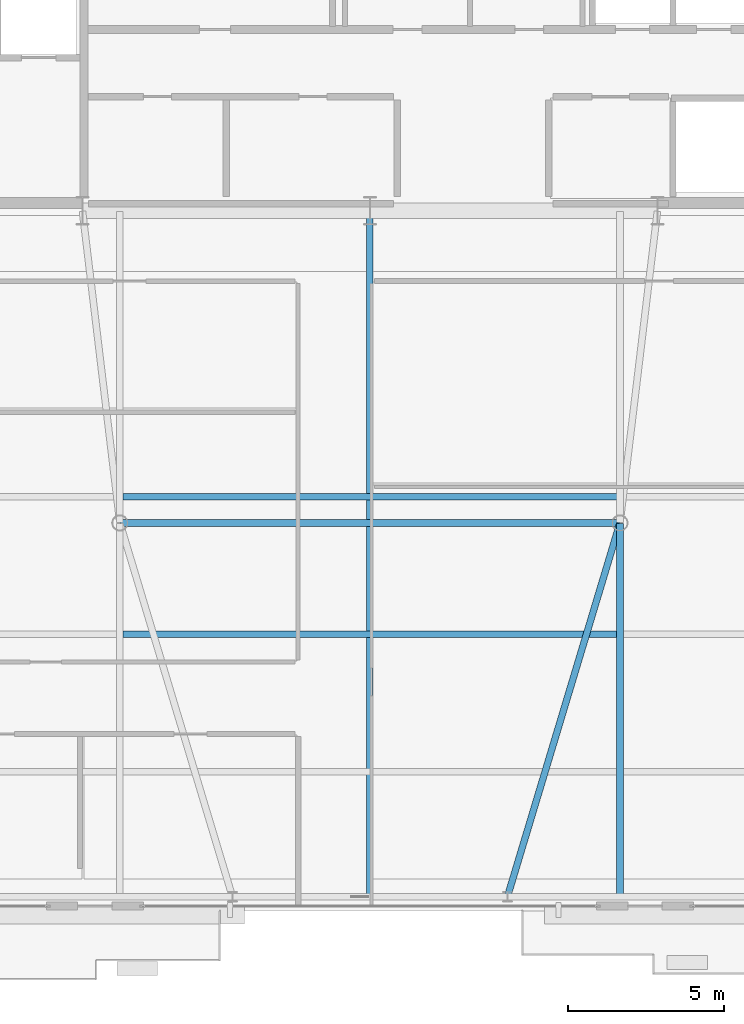
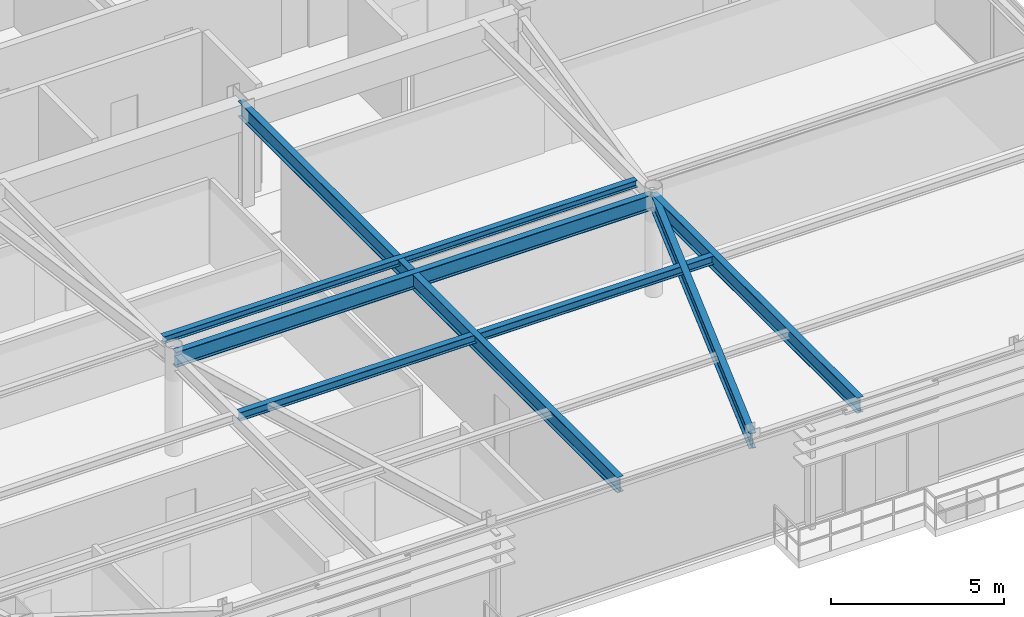
# One storey, part 8 of 24: 6 beams.
"""IFC4 building model written with IfcOpenShell, lengths in metres."""

import ifcopenshell
import ifcopenshell.guid

model = None  # the IFC model being written
_history = None  # IfcOwnerHistory: only IFC2X3 demands one
_inside = {}  # id of a spatial element -> (the spatial element, [elements in it])
_under = {}  # id of a project, library or spatial element -> (it, [spatial elements below it])
_declared = {}  # id of a project -> (the project, [libraries it declares])
_typed = {}  # id of a type object -> (the type object, [elements of that type])
_made_of = {}  # id of a material, layer set ... -> (it, [elements and type objects made of it])


def new_model(schema):
    """Start an empty IFC model of exactly this schema.

    Asked for "IFC4X3", IfcOpenShell would pick the latest addendum, in which some entities
    have other attributes; the version numbers below select the first issue.
    IFC2X3 requires an IfcOwnerHistory on every rooted entity: one is made here for all.
    """
    global model, _history
    if schema == "IFC4X3":
        model = ifcopenshell.file(schema_version=(4, 3, 0, 0))
    else:
        model = ifcopenshell.file(schema=schema)
    _inside.clear()
    _under.clear()
    _declared.clear()
    _typed.clear()
    _made_of.clear()
    _history = None
    if model.schema == "IFC2X3":
        org = make("IfcOrganization", Name="unknown")
        user = make(
            "IfcPersonAndOrganization",
            ThePerson=make("IfcPerson", FamilyName="unknown"),
            TheOrganization=org,
        )
        app = make(
            "IfcApplication",
            ApplicationDeveloper=org,
            Version="unknown",
            ApplicationFullName="unknown",
            ApplicationIdentifier="unknown",
        )
        _history = make(
            "IfcOwnerHistory",
            OwningUser=user,
            OwningApplication=app,
            ChangeAction="ADDED",
            CreationDate=0,
        )
    return model


def make(cls, **values):
    """One entity of the class cls with the attributes given. An attribute that is None is left unset."""
    return model.create_entity(
        cls, **{name: value for name, value in values.items() if value is not None}
    )


def rooted(cls, **values):
    """An entity with a GlobalId (a new one), such as an element, a storey or a relation."""
    return make(cls, GlobalId=ifcopenshell.guid.new(), OwnerHistory=_history, **values)


def si_unit(unit_type, name, prefix=None):
    """IfcSIUnit, for example si_unit("LENGTHUNIT", "METRE", prefix="MILLI")."""
    return make("IfcSIUnit", UnitType=unit_type, Prefix=prefix, Name=name)


def assignment(units):
    """IfcUnitAssignment: the units of a project."""
    return None if units is None else make("IfcUnitAssignment", Units=units)


def point(xyz):
    """IfcCartesianPoint."""
    return None if xyz is None else make("IfcCartesianPoint", Coordinates=xyz)


def direction(xyz):
    """IfcDirection."""
    return None if xyz is None else make("IfcDirection", DirectionRatios=xyz)


def frame(location, z_axis=None, x_axis=None):
    """IfcAxis2Placement3D, a coordinate frame: its origin and axes. An axis left out is left unset."""
    return make(
        "IfcAxis2Placement3D",
        Location=point(location),
        Axis=direction(z_axis),
        RefDirection=direction(x_axis),
    )


def frame_2d(location, x_axis=None):
    """IfcAxis2Placement2D, a coordinate frame in the plane: its origin and x axis."""
    return make(
        "IfcAxis2Placement2D", Location=point(location), RefDirection=direction(x_axis)
    )


def origin():
    """The frame at (0, 0, 0) with its axes left unset."""
    return frame((0.0, 0.0, 0.0))


def origin_2d():
    """The frame at (0, 0) in the plane with its x axis left unset."""
    return frame_2d((0.0, 0.0))


def place(relative_to, where):
    """IfcLocalPlacement: puts the frame where relative to a parent placement (None: the world)."""
    return make(
        "IfcLocalPlacement", PlacementRelTo=relative_to, RelativePlacement=where
    )


def context(
    kind, dimensions, precision=None, world=None, true_north=None, identifier=None
):
    """IfcGeometricRepresentationContext, for example the 3D "Model" context."""
    return make(
        "IfcGeometricRepresentationContext",
        ContextIdentifier=identifier,
        ContextType=kind,
        CoordinateSpaceDimension=dimensions,
        Precision=precision,
        WorldCoordinateSystem=world,
        TrueNorth=true_north,
    )


def subcontext(parent, identifier, kind, view, scale=None):
    """IfcGeometricRepresentationSubContext, for example "Body" below "Model"."""
    return make(
        "IfcGeometricRepresentationSubContext",
        ContextIdentifier=identifier,
        ContextType=kind,
        ParentContext=parent,
        TargetScale=scale,
        TargetView=view,
    )


def project(units=None, contexts=None):
    """IfcProject with its units and contexts."""
    return rooted(
        "IfcProject",
        Name="project",
        RepresentationContexts=contexts,
        UnitsInContext=assignment(units),
    )


def spatial(cls, under=None, at=None, **own):
    """A site, building, storey or space (cls), placed at a placement, below another one or the project."""
    s = rooted(cls, ObjectPlacement=at, **own)
    if under is not None:
        _under.setdefault(under.id(), (under, []))[1].append(s)
    return s


def profile(cls, at=None, kind="AREA", **sizes):
    """A parametric profile (cls). Its sizes go by their IFC names, for example OverallWidth=200.0."""
    return make(cls, ProfileType=kind, Position=at, **sizes)


def i_section(**sizes):
    """IfcIShapeProfileDef."""
    return profile("IfcIShapeProfileDef", **sizes)


def extrude(swept, where, along, depth):
    """IfcExtrudedAreaSolid: the profile swept, set in the frame where, extruded along a direction by depth."""
    return make(
        "IfcExtrudedAreaSolid",
        SweptArea=swept,
        Position=where,
        ExtrudedDirection=direction(along),
        Depth=depth,
    )


def shape(context_of_items, identifier, shape_type, items):
    """IfcShapeRepresentation: the items that make up one representation, for example the "Body"."""
    return make(
        "IfcShapeRepresentation",
        ContextOfItems=context_of_items,
        RepresentationIdentifier=identifier,
        RepresentationType=shape_type,
        Items=items,
    )


def source(mapping_origin, context_of_items, identifier, shape_type, items):
    """IfcRepresentationMap: a shape defined once, which mapped items show again and again."""
    return make(
        "IfcRepresentationMap",
        MappingOrigin=mapping_origin,
        MappedRepresentation=shape(context_of_items, identifier, shape_type, items),
    )


def transform(
    local_origin,
    x_axis=None,
    y_axis=None,
    z_axis=None,
    scale=None,
    scale2=None,
    scale3=None,
    uniform=True,
):
    """IfcCartesianTransformationOperator3D, or its non-uniform kind. x_axis, y_axis, z_axis: its Axis1, 2, 3."""
    if uniform:
        return make(
            "IfcCartesianTransformationOperator3D",
            Axis1=direction(x_axis),
            Axis2=direction(y_axis),
            LocalOrigin=point(local_origin),
            Scale=scale,
            Axis3=direction(z_axis),
        )
    return make(
        "IfcCartesianTransformationOperator3DnonUniform",
        Axis1=direction(x_axis),
        Axis2=direction(y_axis),
        LocalOrigin=point(local_origin),
        Scale=scale,
        Axis3=direction(z_axis),
        Scale2=scale2,
        Scale3=scale3,
    )


def mapped(mapping_source, mapping_target):
    """IfcMappedItem: shows the shape of a source again, moved by a transform."""
    return make(
        "IfcMappedItem", MappingSource=mapping_source, MappingTarget=mapping_target
    )


def material(Name=None, Category=None):
    """IfcMaterial."""
    return make("IfcMaterial", Name=Name, Category=Category)


def material_profile(
    of_material, cross_section, Name=None, Category=None, Priority=None
):
    """IfcMaterialProfile: a cross section and its material."""
    return make(
        "IfcMaterialProfile",
        Name=Name,
        Material=of_material,
        Profile=cross_section,
        Priority=Priority,
        Category=Category,
    )


def profile_set(profiles, Name=None, composite=None):
    """IfcMaterialProfileSet."""
    return make(
        "IfcMaterialProfileSet",
        Name=Name,
        MaterialProfiles=profiles,
        CompositeProfile=composite,
    )


def made_of(thing, what):
    """Note that an element or type object is made of a material, layer set ...; save() writes the relation."""
    if what is not None:
        _made_of.setdefault(what.id(), (what, []))[1].append(thing)
    return thing


def type_object(cls, material=None, **own):
    """A type object (cls), such as IfcWallType, which elements share."""
    return made_of(rooted(cls, **own), material)


def type_shapes(of_type, sources):
    """Give a type object the sources (RepresentationMaps) that its elements show as mapped items."""
    of_type.RepresentationMaps = sources


def element(
    cls,
    number,
    at=None,
    inside=None,
    cuts=None,
    type_object=None,
    material=None,
    context=None,
    identifier="Body",
    shape_type=None,
    held_by="IfcProductDefinitionShape",
    body=None,
    shapes=None,
    **own,
):
    """One element of the class cls, such as IfcWall. Its Tag is "e" and its number.

    at: its placement. inside: the storey or other place that contains it. cuts: it is an
    opening in that element (IfcRelVoidsElement). A single representation is given by context,
    identifier, shape_type and body (its items); several are given by shapes. held_by: the class
    of the entity that holds the representations. save() writes the other relations.
    """
    e = rooted(cls, Tag="e%d" % number, ObjectPlacement=at, **own)
    if body is not None:
        shapes = [shape(context, identifier, shape_type, body)]
    if shapes is not None:
        e.Representation = make(held_by, Representations=shapes)
    if inside is not None:
        _inside.setdefault(inside.id(), (inside, []))[1].append(e)
    if cuts is not None:
        rooted(
            "IfcRelVoidsElement", RelatingBuildingElement=cuts, RelatedOpeningElement=e
        )
    if type_object is not None:
        _typed.setdefault(type_object.id(), (type_object, []))[1].append(e)
    return made_of(e, material)


def aggregate(whole, parts):
    """IfcRelAggregates: a whole, such as a stair, and the parts it consists of."""
    return rooted("IfcRelAggregates", RelatingObject=whole, RelatedObjects=parts)


def save(model, path):
    """Write the relations noted so far, then the file.

    IfcRelAggregates (storeys below a building ...), IfcRelContainedInSpatialStructure (elements
    in a storey), IfcRelDefinesByType, IfcRelAssociatesMaterial and IfcRelDeclares: one each for
    every whole, place, type object, material and project.
    """
    for whole, parts in _under.values():
        aggregate(whole, parts)
    for where, things in _inside.values():
        rooted(
            "IfcRelContainedInSpatialStructure",
            RelatedElements=things,
            RelatingStructure=where,
        )
    for kind, things in _typed.values():
        rooted("IfcRelDefinesByType", RelatedObjects=things, RelatingType=kind)
    for what, things in _made_of.values():
        rooted("IfcRelAssociatesMaterial", RelatedObjects=things, RelatingMaterial=what)
    for by, libraries in _declared.values():
        rooted("IfcRelDeclares", RelatingContext=by, RelatedDefinitions=libraries)
    model.write(path)


model = new_model("IFC4")

# Units and contexts
model_context = context("Model", 3, precision=1e-05, world=origin(), true_north=direction((0.0, 1.0)))
body_context = subcontext(model_context, "Body", "Model", "MODEL_VIEW")
ifc_project = project(units=[si_unit("LENGTHUNIT", "METRE"), si_unit("AREAUNIT", "SQUARE_METRE"), si_unit("VOLUMEUNIT", "CUBIC_METRE"), si_unit("PLANEANGLEUNIT", "RADIAN"), si_unit("MASSUNIT", "GRAM", prefix="KILO")], contexts=[model_context])

# Site, building, storey
site_placement = place(None, origin())
site = spatial("IfcSite", under=ifc_project, at=site_placement, CompositionType="ELEMENT")
building_placement = place(site_placement, origin())
building = spatial("IfcBuilding", under=site, at=building_placement, Name="Varnel Quay Broadcast Tower", CompositionType="ELEMENT")
storey_placement = place(building_placement, frame((0.0, 0.0, 281.199951171875)))
storey = spatial("IfcBuildingStorey", under=building, at=storey_placement, Name="L70", CompositionType="ELEMENT", Elevation=281.199951171875)

# Beams
ifc_material = material(Name="Structural Steel CSA G40.21 350W", Category="steel")
ifc_material_profile_1 = material_profile(ifc_material, i_section(OverallWidth=0.2119140625, OverallDepth=0.5439453125, WebThickness=0.01318359375, FlangeThickness=0.021240234375, FilletRadius=0.013916015625, at=origin_2d()), Name="W530X123")
ifc_profile_set_1 = profile_set([ifc_material_profile_1], Name="Structural Steel CSA G40.21 350W")
beam_type_1 = type_object("IfcBeamType", Name="Girder_W530X123", PredefinedType="BEAM", material=ifc_profile_set_1)
shared_shape_1 = source(origin(), body_context, "Body", "SweptSolid", [
    extrude(i_section(OverallWidth=0.2119140625, OverallDepth=0.5439453125, WebThickness=0.01318359375, FlangeThickness=0.021240234375, FilletRadius=0.013916015625, at=origin_2d()), origin(), (0.0, 0.0, 1.0), 12.449951171875),
])
beam_1_placement = place(storey_placement, frame((38.40576171875, 13.669189453125, 3.278076171875), z_axis=(0.28822390679, 0.957563042078, 0.0), x_axis=(-0.957563042078, 0.28822390679, 0.0)))
element("IfcBeam", 1, at=beam_1_placement, inside=storey, type_object=beam_type_1, Name="L70 Primary Girder TC-S3-IC-02", PredefinedType="BEAM", context=body_context, shape_type="MappedRepresentation", body=[
    mapped(shared_shape_1, transform((0.0, 0.0, 0.0), x_axis=(1.0, 0.0, 0.0), y_axis=(0.0, 1.0, 0.0), z_axis=(0.0, 0.0, 1.0), scale=1.0)),
])
shared_shape_2 = source(origin(), body_context, "Body", "SweptSolid", [
    extrude(i_section(OverallWidth=0.2119140625, OverallDepth=0.5439453125, WebThickness=0.01318359375, FlangeThickness=0.021240234375, FilletRadius=0.013916015625, at=origin_2d()), origin(), (0.0, 0.0, 1.0), 15.9599609375),
])
beam_2_placement = place(storey_placement, frame((26.02001953125, 25.610107421875, 3.278076171875), z_axis=(1.0, 0.0, 0.0), x_axis=(0.0, 1.0, 0.0)))
element("IfcBeam", 2, at=beam_2_placement, inside=storey, type_object=beam_type_1, Name="L70 Interior Spine Girder", PredefinedType="BEAM", context=body_context, shape_type="MappedRepresentation", body=[
    mapped(shared_shape_2, transform((0.0, 0.0, 0.0), x_axis=(1.0, 0.0, 0.0), y_axis=(0.0, 1.0, 0.0), z_axis=(0.0, 0.0, 1.0), scale=1.0)),
])
shared_shape_3 = source(origin(), body_context, "Body", "SweptSolid", [
    extrude(i_section(OverallWidth=0.2119140625, OverallDepth=0.5439453125, WebThickness=0.01318359375, FlangeThickness=0.021240234375, FilletRadius=0.013916015625, at=origin_2d()), origin(), (0.0, 0.0, 1.0), 21.91015625),
])
beam_3_placement = place(storey_placement, frame((34.0, 13.669921875, 3.278076171875), z_axis=(0.0, 1.0, 0.0), x_axis=(-1.0, 0.0, 0.0)))
element("IfcBeam", 3, at=beam_3_placement, inside=storey, type_object=beam_type_1, Name="L70 Central Bay Girder", PredefinedType="BEAM", context=body_context, shape_type="MappedRepresentation", body=[
    mapped(shared_shape_3, transform((0.0, 0.0, 0.0), x_axis=(1.0, 0.0, 0.0), y_axis=(0.0, 1.0, 0.0), z_axis=(0.0, 0.0, 1.0), scale=1.0)),
])
shared_shape_4 = source(origin(), body_context, "Body", "SweptSolid", [
    extrude(i_section(OverallWidth=0.2119140625, OverallDepth=0.5439453125, WebThickness=0.01318359375, FlangeThickness=0.021240234375, FilletRadius=0.013916015625, at=origin_2d()), origin(), (0.0, 0.0, 1.0), 11.920166015625),
])
type_shapes(beam_type_1, [shared_shape_1, shared_shape_2, shared_shape_3, shared_shape_4])
beam_4_placement = place(storey_placement, frame((42.0, 13.669921875, 3.278076171875), z_axis=(0.0, 1.0, 0.0), x_axis=(-1.0, 0.0, 0.0)))
element("IfcBeam", 4, at=beam_4_placement, inside=storey, type_object=beam_type_1, Name="L70 N-S Joist Header IC-02S", PredefinedType="BEAM", context=body_context, shape_type="MappedRepresentation", body=[
    mapped(shared_shape_4, transform((0.0, 0.0, 0.0), x_axis=(1.0, 0.0, 0.0), y_axis=(0.0, 1.0, 0.0), z_axis=(0.0, 0.0, 1.0), scale=1.0)),
])
ifc_material_profile_2 = material_profile(ifc_material, i_section(OverallWidth=0.201904296875, OverallDepth=0.2470703125, WebThickness=0.00732421875, FlangeThickness=0.010986328125, FilletRadius=0.010986328125, at=origin_2d()), Name="W250X49")
ifc_profile_set_2 = profile_set([ifc_material_profile_2], Name="Structural Steel CSA G40.21 350W")
beam_type_2 = type_object("IfcBeamType", Name="Beam_W250X49", PredefinedType="JOIST", material=ifc_profile_set_2)
shared_shape_5 = source(origin(), body_context, "Body", "SweptSolid", [
    extrude(i_section(OverallWidth=0.201904296875, OverallDepth=0.2470703125, WebThickness=0.00732421875, FlangeThickness=0.010986328125, FilletRadius=0.010986328125, at=origin_2d()), origin(), (0.0, 0.0, 1.0), 15.7978515625),
])
type_shapes(beam_type_2, [shared_shape_5])
beam_5_placement = place(storey_placement, frame((26.10107421875, 26.449951171875, 3.426513671875), z_axis=(1.0, 0.0, 0.0), x_axis=(0.0, 1.0, 0.0)))
element("IfcBeam", 5, at=beam_5_placement, inside=storey, type_object=beam_type_2, Name="L70 Central Floor Joist 3", PredefinedType="JOIST", context=body_context, shape_type="MappedRepresentation", body=[
    mapped(shared_shape_5, transform((0.0, 0.0, 0.0), x_axis=(1.0, 0.0, 0.0), y_axis=(0.0, 1.0, 0.0), z_axis=(0.0, 0.0, 1.0), scale=1.0)),
])
ifc_material_profile_3 = material_profile(ifc_material, i_section(OverallWidth=0.202880859375, OverallDepth=0.302978515625, WebThickness=0.007568359375, FlangeThickness=0.01318359375, FilletRadius=0.011962890625, at=origin_2d()), Name="W310X60")
ifc_profile_set_3 = profile_set([ifc_material_profile_3], Name="Structural Steel CSA G40.21 350W")
beam_type_3 = type_object("IfcBeamType", Name="Beam_W310X60", PredefinedType="JOIST", material=ifc_profile_set_3)
shared_shape_6 = source(origin(), body_context, "Body", "SweptSolid", [
    extrude(i_section(OverallWidth=0.202880859375, OverallDepth=0.302978515625, WebThickness=0.007568359375, FlangeThickness=0.01318359375, FilletRadius=0.011962890625, at=origin_2d()), origin(), (0.0, 0.0, 1.0), 15.7978515625),
])
type_shapes(beam_type_3, [shared_shape_6])
beam_6_placement = place(storey_placement, frame((26.10107421875, 22.050048828125, 3.3984375), z_axis=(1.0, 0.0, 0.0), x_axis=(0.0, 1.0, 0.0)))
element("IfcBeam", 6, at=beam_6_placement, inside=storey, type_object=beam_type_3, Name="L70 Central Floor Joist 2", PredefinedType="JOIST", context=body_context, shape_type="MappedRepresentation", body=[
    mapped(shared_shape_6, transform((0.0, 0.0, 0.0), x_axis=(1.0, 0.0, 0.0), y_axis=(0.0, 1.0, 0.0), z_axis=(0.0, 0.0, 1.0), scale=1.0)),
])

save(model, "model.ifc")
